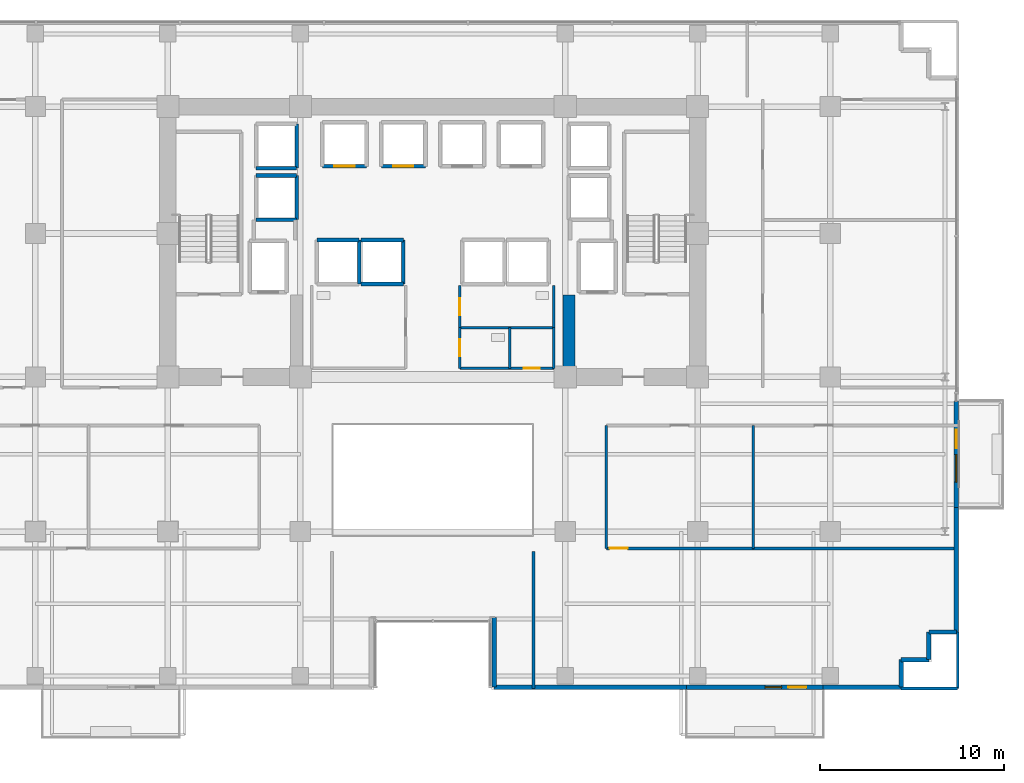
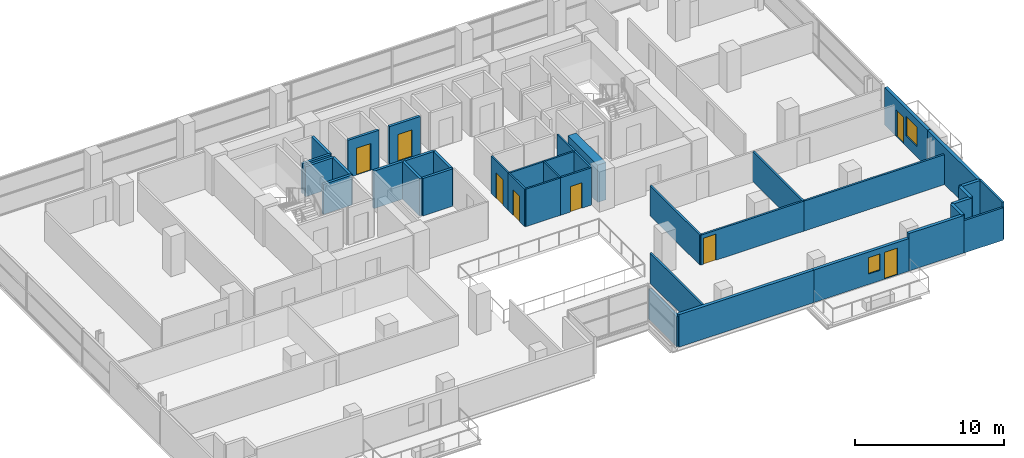
# One storey, part 23 of 29: 38 walls, 8 doors, 2 windows, 10 openings.
"""IFC4 building model written with IfcOpenShell, lengths in metres."""

import ifcopenshell
import ifcopenshell.guid

model = None  # the IFC model being written
_history = None  # IfcOwnerHistory: only IFC2X3 demands one
_inside = {}  # id of a spatial element -> (the spatial element, [elements in it])
_under = {}  # id of a project, library or spatial element -> (it, [spatial elements below it])
_declared = {}  # id of a project -> (the project, [libraries it declares])
_typed = {}  # id of a type object -> (the type object, [elements of that type])
_made_of = {}  # id of a material, layer set ... -> (it, [elements and type objects made of it])


def new_model(schema):
    """Start an empty IFC model of exactly this schema.

    Asked for "IFC4X3", IfcOpenShell would pick the latest addendum, in which some entities
    have other attributes; the version numbers below select the first issue.
    IFC2X3 requires an IfcOwnerHistory on every rooted entity: one is made here for all.
    """
    global model, _history
    if schema == "IFC4X3":
        model = ifcopenshell.file(schema_version=(4, 3, 0, 0))
    else:
        model = ifcopenshell.file(schema=schema)
    _inside.clear()
    _under.clear()
    _declared.clear()
    _typed.clear()
    _made_of.clear()
    _history = None
    if model.schema == "IFC2X3":
        org = make("IfcOrganization", Name="unknown")
        user = make(
            "IfcPersonAndOrganization",
            ThePerson=make("IfcPerson", FamilyName="unknown"),
            TheOrganization=org,
        )
        app = make(
            "IfcApplication",
            ApplicationDeveloper=org,
            Version="unknown",
            ApplicationFullName="unknown",
            ApplicationIdentifier="unknown",
        )
        _history = make(
            "IfcOwnerHistory",
            OwningUser=user,
            OwningApplication=app,
            ChangeAction="ADDED",
            CreationDate=0,
        )
    return model


def make(cls, **values):
    """One entity of the class cls with the attributes given. An attribute that is None is left unset."""
    return model.create_entity(
        cls, **{name: value for name, value in values.items() if value is not None}
    )


def rooted(cls, **values):
    """An entity with a GlobalId (a new one), such as an element, a storey or a relation."""
    return make(cls, GlobalId=ifcopenshell.guid.new(), OwnerHistory=_history, **values)


def si_unit(unit_type, name, prefix=None):
    """IfcSIUnit, for example si_unit("LENGTHUNIT", "METRE", prefix="MILLI")."""
    return make("IfcSIUnit", UnitType=unit_type, Prefix=prefix, Name=name)


def assignment(units):
    """IfcUnitAssignment: the units of a project."""
    return None if units is None else make("IfcUnitAssignment", Units=units)


def point(xyz):
    """IfcCartesianPoint."""
    return None if xyz is None else make("IfcCartesianPoint", Coordinates=xyz)


def direction(xyz):
    """IfcDirection."""
    return None if xyz is None else make("IfcDirection", DirectionRatios=xyz)


def frame(location, z_axis=None, x_axis=None):
    """IfcAxis2Placement3D, a coordinate frame: its origin and axes. An axis left out is left unset."""
    return make(
        "IfcAxis2Placement3D",
        Location=point(location),
        Axis=direction(z_axis),
        RefDirection=direction(x_axis),
    )


def frame_2d(location, x_axis=None):
    """IfcAxis2Placement2D, a coordinate frame in the plane: its origin and x axis."""
    return make(
        "IfcAxis2Placement2D", Location=point(location), RefDirection=direction(x_axis)
    )


def origin():
    """The frame at (0, 0, 0) with its axes left unset."""
    return frame((0.0, 0.0, 0.0))


def place(relative_to, where):
    """IfcLocalPlacement: puts the frame where relative to a parent placement (None: the world)."""
    return make(
        "IfcLocalPlacement", PlacementRelTo=relative_to, RelativePlacement=where
    )


def context(
    kind, dimensions, precision=None, world=None, true_north=None, identifier=None
):
    """IfcGeometricRepresentationContext, for example the 3D "Model" context."""
    return make(
        "IfcGeometricRepresentationContext",
        ContextIdentifier=identifier,
        ContextType=kind,
        CoordinateSpaceDimension=dimensions,
        Precision=precision,
        WorldCoordinateSystem=world,
        TrueNorth=true_north,
    )


def subcontext(parent, identifier, kind, view, scale=None):
    """IfcGeometricRepresentationSubContext, for example "Body" below "Model"."""
    return make(
        "IfcGeometricRepresentationSubContext",
        ContextIdentifier=identifier,
        ContextType=kind,
        ParentContext=parent,
        TargetScale=scale,
        TargetView=view,
    )


def project(units=None, contexts=None):
    """IfcProject with its units and contexts."""
    return rooted(
        "IfcProject",
        Name="project",
        RepresentationContexts=contexts,
        UnitsInContext=assignment(units),
    )


def spatial(cls, under=None, at=None, **own):
    """A site, building, storey or space (cls), placed at a placement, below another one or the project."""
    s = rooted(cls, ObjectPlacement=at, **own)
    if under is not None:
        _under.setdefault(under.id(), (under, []))[1].append(s)
    return s


def profile(cls, at=None, kind="AREA", **sizes):
    """A parametric profile (cls). Its sizes go by their IFC names, for example OverallWidth=200.0."""
    return make(cls, ProfileType=kind, Position=at, **sizes)


def rectangle(**sizes):
    """IfcRectangleProfileDef."""
    return profile("IfcRectangleProfileDef", **sizes)


def extrude(swept, where, along, depth):
    """IfcExtrudedAreaSolid: the profile swept, set in the frame where, extruded along a direction by depth."""
    return make(
        "IfcExtrudedAreaSolid",
        SweptArea=swept,
        Position=where,
        ExtrudedDirection=direction(along),
        Depth=depth,
    )


def shape(context_of_items, identifier, shape_type, items):
    """IfcShapeRepresentation: the items that make up one representation, for example the "Body"."""
    return make(
        "IfcShapeRepresentation",
        ContextOfItems=context_of_items,
        RepresentationIdentifier=identifier,
        RepresentationType=shape_type,
        Items=items,
    )


def source(mapping_origin, context_of_items, identifier, shape_type, items):
    """IfcRepresentationMap: a shape defined once, which mapped items show again and again."""
    return make(
        "IfcRepresentationMap",
        MappingOrigin=mapping_origin,
        MappedRepresentation=shape(context_of_items, identifier, shape_type, items),
    )


def transform(
    local_origin,
    x_axis=None,
    y_axis=None,
    z_axis=None,
    scale=None,
    scale2=None,
    scale3=None,
    uniform=True,
):
    """IfcCartesianTransformationOperator3D, or its non-uniform kind. x_axis, y_axis, z_axis: its Axis1, 2, 3."""
    if uniform:
        return make(
            "IfcCartesianTransformationOperator3D",
            Axis1=direction(x_axis),
            Axis2=direction(y_axis),
            LocalOrigin=point(local_origin),
            Scale=scale,
            Axis3=direction(z_axis),
        )
    return make(
        "IfcCartesianTransformationOperator3DnonUniform",
        Axis1=direction(x_axis),
        Axis2=direction(y_axis),
        LocalOrigin=point(local_origin),
        Scale=scale,
        Axis3=direction(z_axis),
        Scale2=scale2,
        Scale3=scale3,
    )


def mapped(mapping_source, mapping_target):
    """IfcMappedItem: shows the shape of a source again, moved by a transform."""
    return make(
        "IfcMappedItem", MappingSource=mapping_source, MappingTarget=mapping_target
    )


def material(Name=None, Category=None):
    """IfcMaterial."""
    return make("IfcMaterial", Name=Name, Category=Category)


def layer(
    of_material, thickness, ventilated=None, Name=None, Category=None, Priority=None
):
    """IfcMaterialLayer: one layer of a wall or slab, of a material (None: an air gap)."""
    return make(
        "IfcMaterialLayer",
        Material=of_material,
        LayerThickness=thickness,
        IsVentilated=ventilated,
        Name=Name,
        Category=Category,
        Priority=Priority,
    )


def layer_set(layers, Name=None):
    """IfcMaterialLayerSet."""
    return make("IfcMaterialLayerSet", MaterialLayers=layers, LayerSetName=Name)


def made_of(thing, what):
    """Note that an element or type object is made of a material, layer set ...; save() writes the relation."""
    if what is not None:
        _made_of.setdefault(what.id(), (what, []))[1].append(thing)
    return thing


def type_object(cls, material=None, **own):
    """A type object (cls), such as IfcWallType, which elements share."""
    return made_of(rooted(cls, **own), material)


def element(
    cls,
    number,
    at=None,
    inside=None,
    cuts=None,
    type_object=None,
    material=None,
    context=None,
    identifier="Body",
    shape_type=None,
    held_by="IfcProductDefinitionShape",
    body=None,
    shapes=None,
    **own,
):
    """One element of the class cls, such as IfcWall. Its Tag is "e" and its number.

    at: its placement. inside: the storey or other place that contains it. cuts: it is an
    opening in that element (IfcRelVoidsElement). A single representation is given by context,
    identifier, shape_type and body (its items); several are given by shapes. held_by: the class
    of the entity that holds the representations. save() writes the other relations.
    """
    e = rooted(cls, Tag="e%d" % number, ObjectPlacement=at, **own)
    if body is not None:
        shapes = [shape(context, identifier, shape_type, body)]
    if shapes is not None:
        e.Representation = make(held_by, Representations=shapes)
    if inside is not None:
        _inside.setdefault(inside.id(), (inside, []))[1].append(e)
    if cuts is not None:
        rooted(
            "IfcRelVoidsElement", RelatingBuildingElement=cuts, RelatedOpeningElement=e
        )
    if type_object is not None:
        _typed.setdefault(type_object.id(), (type_object, []))[1].append(e)
    return made_of(e, material)


def fill(opening, filler):
    """IfcRelFillsElement: the door or window that sits in an opening."""
    return rooted(
        "IfcRelFillsElement",
        RelatingOpeningElement=opening,
        RelatedBuildingElement=filler,
    )


def aggregate(whole, parts):
    """IfcRelAggregates: a whole, such as a stair, and the parts it consists of."""
    return rooted("IfcRelAggregates", RelatingObject=whole, RelatedObjects=parts)


def save(model, path):
    """Write the relations noted so far, then the file.

    IfcRelAggregates (storeys below a building ...), IfcRelContainedInSpatialStructure (elements
    in a storey), IfcRelDefinesByType, IfcRelAssociatesMaterial and IfcRelDeclares: one each for
    every whole, place, type object, material and project.
    """
    for whole, parts in _under.values():
        aggregate(whole, parts)
    for where, things in _inside.values():
        rooted(
            "IfcRelContainedInSpatialStructure",
            RelatedElements=things,
            RelatingStructure=where,
        )
    for kind, things in _typed.values():
        rooted("IfcRelDefinesByType", RelatedObjects=things, RelatingType=kind)
    for what, things in _made_of.values():
        rooted("IfcRelAssociatesMaterial", RelatedObjects=things, RelatingMaterial=what)
    for by, libraries in _declared.values():
        rooted("IfcRelDeclares", RelatingContext=by, RelatedDefinitions=libraries)
    model.write(path)


model = new_model("IFC4")

# Units and contexts
model_context = context("Model", 3, precision=1e-05, world=origin(), true_north=direction((0.0, 1.0)))
body_context = subcontext(model_context, "Body", "Model", "MODEL_VIEW")
ifc_project = project(units=[si_unit("LENGTHUNIT", "METRE"), si_unit("AREAUNIT", "SQUARE_METRE"), si_unit("VOLUMEUNIT", "CUBIC_METRE"), si_unit("PLANEANGLEUNIT", "RADIAN"), si_unit("MASSUNIT", "GRAM", prefix="KILO")], contexts=[model_context])

# Site, building, storey
site_placement = place(None, origin())
site = spatial("IfcSite", under=ifc_project, at=site_placement, CompositionType="ELEMENT")
building_placement = place(site_placement, origin())
building = spatial("IfcBuilding", under=site, at=building_placement, Name="Zarnakvel Exchange Tower", CompositionType="ELEMENT")
storey_placement = place(building_placement, frame((0.0, 0.0, 37.300048828125)))
storey = spatial("IfcBuildingStorey", under=building, at=storey_placement, Name="L09", CompositionType="ELEMENT", Elevation=37.300048828125)

# Wall
ifc_material_1 = material(Name="Concrete C80/95", Category="concrete")
ifc_layer_1 = layer(ifc_material_1, 0.64990234375)
ifc_layer_set_1 = layer_set([ifc_layer_1], Name="Concrete C80/95")
wall_type_1 = type_object("IfcWallType", Name="CW-C2", PredefinedType="SHEAR", material=ifc_layer_set_1)
wall_1_placement = place(storey_placement, frame((7.39990234375, -0.75, 0.0), z_axis=(0.0, 0.0, 1.0), x_axis=(0.0, 1.0, 0.0)))
element("IfcWall", 1, at=wall_1_placement, inside=storey, type_object=wall_type_1, Name="L09 Rear Core Shear Wall IE (CW-C2)", PredefinedType="SHEAR", context=body_context, shape_type="SweptSolid", body=[
    extrude(rectangle(XDim=4.0, YDim=0.64990234375, at=frame_2d((2.0, 0.0))), origin(), (0.0, 0.0, 1.0), 3.074951171875),
])

# Wall, openings, door, window
ifc_material_2 = material(Name="Precast concrete C40/50", Category="concrete")
ifc_layer_2 = layer(ifc_material_2, 0.239990234375)
ifc_layer_set_2 = layer_set([ifc_layer_2], Name="Precast concrete C40/50")
wall_type_2 = type_object("IfcWallType", Name="EW-02", PredefinedType="SOLIDWALL", material=ifc_layer_set_2)
wall_2_placement = place(storey_placement, frame((21.199951171875, -18.06005859375, 0.0), z_axis=(0.0, 0.0, 1.0), x_axis=(-1.0, 0.0, 0.0)))
wall_2 = element("IfcWall", 2, at=wall_2_placement, inside=storey, type_object=wall_type_2, Name="L09 Exterior Precast Spandrel Wall EW-BAL-L09-SE (EW-02)", PredefinedType="SOLIDWALL", context=body_context, shape_type="SweptSolid", body=[
    extrude(rectangle(XDim=7.39990234375, YDim=0.239990234375, at=frame_2d((3.699951171875, 0.0))), origin(), (0.0, 0.0, 1.0), 2.6650390625),
])
opening_1_placement = place(wall_2_placement, frame((0.887939453125, 0.0, 0.0)))
opening_1 = element("IfcOpeningElement", 3, at=opening_1_placement, cuts=wall_2, Name="Opening BD-L09-02", PredefinedType="OPENING", context=body_context, shape_type="SweptSolid", body=[
    extrude(rectangle(XDim=1.0, YDim=2.199951171875, at=frame_2d((0.5, 1.10009765625))), frame((0.0, 0.1298828125, 0.0), z_axis=(0.0, -1.0, 0.0), x_axis=(1.0, 0.0, 0.0)), (0.0, 0.0, 1.0), 0.260009765625),
])
opening_2_placement = place(wall_2_placement, frame((2.238037109375, 0.0, 0.85009765625)))
opening_2 = element("IfcOpeningElement", 4, at=opening_2_placement, cuts=wall_2, Name="Opening WN-06", PredefinedType="OPENING", context=body_context, shape_type="SweptSolid", body=[
    extrude(rectangle(XDim=0.89990234375, YDim=1.35009765625, at=frame_2d((0.449951171875, 0.675048828125))), frame((0.0, 0.1298828125, 0.0), z_axis=(0.0, -1.0, 0.0), x_axis=(1.0, 0.0, 0.0)), (0.0, 0.0, 1.0), 0.260009765625),
])
ifc_material_3 = material(Name="Architectural Bronze Anodised Aluminium", Category="aluminium")
door_type_1 = type_object("IfcDoorType", Name="DT-09", OperationType="NOTDEFINED", PredefinedType="DOOR", material=ifc_material_3)
shared_shape_1 = source(origin(), body_context, "Body", "SweptSolid", [
    extrude(rectangle(XDim=1.0, YDim=2.199951171875, at=frame_2d((0.5, 1.10009765625))), frame((0.0, 0.02490234375, 0.0), z_axis=(0.0, -1.0, 0.0), x_axis=(1.0, 0.0, 0.0)), (0.0, 0.0, 1.0), 0.050048828125),
])
door_1_placement = place(opening_1_placement, origin())
door_1 = element("IfcDoor", 5, at=door_1_placement, inside=storey, type_object=door_type_1, Name="L09 Planted Loggia Balcony Door BD-L09-02", OperationType="SINGLE_SWING_RIGHT", OverallHeight=2.199951171875, OverallWidth=1.0, PredefinedType="DOOR", context=body_context, shape_type="MappedRepresentation", body=[
    mapped(shared_shape_1, transform((0.0, 0.0, 0.0), x_axis=(1.0, 0.0, 0.0), y_axis=(0.0, 1.0, 0.0), z_axis=(0.0, 0.0, 1.0), scale=1.0)),
])
fill(opening_1, door_1)
ifc_material_4 = material(Name="Double Low-E Laminated Vision Glass", Category="glass")
window_type_1 = type_object("IfcWindowType", Name="WN-06", PartitioningType="SINGLE_PANEL", PredefinedType="WINDOW", material=ifc_material_4)
shared_shape_2 = source(origin(), body_context, "Body", "SweptSolid", [
    extrude(rectangle(XDim=0.89990234375, YDim=1.35009765625, at=frame_2d((0.449951171875, 0.675048828125))), frame((0.0, 0.030029296875, 0.0), z_axis=(0.0, -1.0, 0.0), x_axis=(1.0, 0.0, 0.0)), (0.0, 0.0, 1.0), 0.06005859375),
])
window_1_placement = place(opening_2_placement, origin())
window_1 = element("IfcWindow", 6, at=window_1_placement, inside=storey, type_object=window_type_1, Name="L09 Loggia Daylight Window (WN-06)", OverallHeight=1.35009765625, OverallWidth=0.89990234375, PartitioningType="SINGLE_PANEL", PredefinedType="WINDOW", context=body_context, shape_type="MappedRepresentation", body=[
    mapped(shared_shape_2, transform((0.0, 0.0, 0.0), x_axis=(1.0, 0.0, 0.0), y_axis=(0.0, 1.0, 0.0), z_axis=(0.0, 0.0, 1.0), scale=1.0)),
])
fill(opening_2, window_1)

wall_3_placement = place(storey_placement, frame((28.4599609375, -2.5, 0.0), z_axis=(0.0, 0.0, 1.0), x_axis=(0.0, -1.0, 0.0)))
wall_3 = element("IfcWall", 7, at=wall_3_placement, inside=storey, type_object=wall_type_2, Name="L09 Exterior Precast Spandrel Wall EW-BAL-L09-E (EW-02)", PredefinedType="SOLIDWALL", context=body_context, shape_type="SweptSolid", body=[
    extrude(rectangle(XDim=5.800048828125, YDim=0.239990234375, at=frame_2d((2.89990234375, 0.0))), origin(), (0.0, 0.0, 1.0), 3.074951171875),
])
opening_3_placement = place(wall_3_placement, frame((1.56591796875, 0.0, 0.0)))
opening_3 = element("IfcOpeningElement", 8, at=opening_3_placement, cuts=wall_3, Name="Opening BD-L09-03", PredefinedType="OPENING", context=body_context, shape_type="SweptSolid", body=[
    extrude(rectangle(XDim=1.0, YDim=2.199951171875, at=frame_2d((0.5, 1.10009765625))), frame((0.0, 0.1298828125, 0.0), z_axis=(0.0, -1.0, 0.0), x_axis=(1.0, 0.0, 0.0)), (0.0, 0.0, 1.0), 0.260009765625),
])
opening_4_placement = place(wall_3_placement, frame((2.916015625, 0.0, 0.85009765625)))
opening_4 = element("IfcOpeningElement", 9, at=opening_4_placement, cuts=wall_3, Name="Opening WN-03", PredefinedType="OPENING", context=body_context, shape_type="SweptSolid", body=[
    extrude(rectangle(XDim=1.5, YDim=1.60009765625, at=frame_2d((0.75, 0.800048828125))), frame((0.0, 0.1298828125, 0.0), z_axis=(0.0, -1.0, 0.0), x_axis=(1.0, 0.0, 0.0)), (0.0, 0.0, 1.0), 0.260009765625),
])
door_2_placement = place(opening_3_placement, origin())
door_2 = element("IfcDoor", 10, at=door_2_placement, inside=storey, type_object=door_type_1, Name="L09 Planted Loggia Balcony Door BD-L09-03", OperationType="SINGLE_SWING_LEFT", OverallHeight=2.199951171875, OverallWidth=1.0, PredefinedType="DOOR", context=body_context, shape_type="MappedRepresentation", body=[
    mapped(shared_shape_1, transform((0.0, 0.0, 0.0), x_axis=(1.0, 0.0, 0.0), y_axis=(0.0, 1.0, 0.0), z_axis=(0.0, 0.0, 1.0), scale=1.0)),
])
fill(opening_3, door_2)
window_type_2 = type_object("IfcWindowType", Name="WN-03", PartitioningType="SINGLE_PANEL", PredefinedType="WINDOW", material=ifc_material_4)
shared_shape_3 = source(origin(), body_context, "Body", "SweptSolid", [
    extrude(rectangle(XDim=1.5, YDim=1.60009765625, at=frame_2d((0.75, 0.800048828125))), frame((0.0, 0.030029296875, 0.0), z_axis=(0.0, -1.0, 0.0), x_axis=(1.0, 0.0, 0.0)), (0.0, 0.0, 1.0), 0.06005859375),
])
window_2_placement = place(opening_4_placement, origin())
window_2 = element("IfcWindow", 11, at=window_2_placement, inside=storey, type_object=window_type_2, Name="L09 Loggia Daylight Window (WN-03)", OverallHeight=1.60009765625, OverallWidth=1.5, PartitioningType="SINGLE_PANEL", PredefinedType="WINDOW", context=body_context, shape_type="MappedRepresentation", body=[
    mapped(shared_shape_3, transform((0.0, 0.0, 0.0), x_axis=(1.0, 0.0, 0.0), y_axis=(0.0, 1.0, 0.0), z_axis=(0.0, 0.0, 1.0), scale=1.0)),
])
fill(opening_4, window_2)

# Walls
wall_4_placement = place(storey_placement, frame((28.4599609375, -15.06005859375, 0.0), z_axis=(0.0, 0.0, 1.0), x_axis=(0.0, 1.0, 0.0)))
element("IfcWall", 12, at=wall_4_placement, inside=storey, type_object=wall_type_2, Name="L09 Exterior Precast Spandrel Wall EWC-L09-10 (EW-02)", PredefinedType="SOLIDWALL", context=body_context, shape_type="SweptSolid", body=[
    extrude(rectangle(XDim=6.760009765625, YDim=0.239990234375, at=frame_2d((3.3798828125, 0.0))), origin(), (0.0, 0.0, 1.0), 3.074951171875),
])
for number, where, z_axis, x_axis, name in (
    (13, (26.9599609375, -15.06005859375, 0.0), (0.0, 0.0, 1.0), (1.0, 0.0, 0.0), "L09 Exterior Precast Spandrel Wall EWC-L09-11 (EW-02)"),
    (14, (26.9599609375, -16.56005859375, 0.0), (0.0, 0.0, 1.0), (0.0, 1.0, 0.0), "L09 Exterior Precast Spandrel Wall EWC-L09-12 (EW-02)"),
    (15, (25.4599609375, -16.56005859375, 0.0), (0.0, 0.0, 1.0), (1.0, 0.0, 0.0), "L09 Exterior Precast Spandrel Wall EWC-L09-13 (EW-02)"),
    (16, (25.4599609375, -18.06005859375, 0.0), (0.0, 0.0, 1.0), (0.0, 1.0, 0.0), "L09 Exterior Precast Spandrel Wall EWC-L09-14 (EW-02)"),
):
    element("IfcWall", number, at=place(storey_placement, frame(where, z_axis=z_axis, x_axis=x_axis)), inside=storey, type_object=wall_type_2, Name=name, PredefinedType="SOLIDWALL", context=body_context, shape_type="SweptSolid", body=[
        extrude(rectangle(XDim=1.5, YDim=0.239990234375, at=frame_2d((0.75, 0.0))), origin(), (0.0, 0.0, 1.0), 3.074951171875),
    ])
wall_5_placement = place(storey_placement, frame((21.199951171875, -18.06005859375, 0.0), z_axis=(0.0, 0.0, 1.0), x_axis=(1.0, 0.0, 0.0)))
element("IfcWall", 17, at=wall_5_placement, inside=storey, type_object=wall_type_2, Name="L09 Exterior Precast Spandrel Wall EWC-L09-15 (EW-02)", PredefinedType="SOLIDWALL", context=body_context, shape_type="SweptSolid", body=[
    extrude(rectangle(XDim=4.260009765625, YDim=0.239990234375, at=frame_2d((2.1298828125, 0.0))), origin(), (0.0, 0.0, 1.0), 3.074951171875),
])
wall_6_placement = place(storey_placement, frame((3.340087890625, -18.06005859375, 0.0), z_axis=(0.0, 0.0, 1.0), x_axis=(1.0, 0.0, 0.0)))
element("IfcWall", 18, at=wall_6_placement, inside=storey, type_object=wall_type_2, Name="L09 Exterior Precast Spandrel Wall EWC-L09-16 (EW-02)", PredefinedType="SOLIDWALL", context=body_context, shape_type="SweptSolid", body=[
    extrude(rectangle(XDim=10.4599609375, YDim=0.239990234375, at=frame_2d((5.22998046875, 0.0))), origin(), (0.0, 0.0, 1.0), 2.6650390625),
])
wall_7_placement = place(storey_placement, frame((3.340087890625, -14.260009765625, 0.0), z_axis=(0.0, 0.0, 1.0), x_axis=(0.0, -1.0, 0.0)))
element("IfcWall", 19, at=wall_7_placement, inside=storey, type_object=wall_type_2, Name="L09 Exterior Precast Spandrel Wall EWC-L09-17 (EW-02)", PredefinedType="SOLIDWALL", context=body_context, shape_type="SweptSolid", body=[
    extrude(rectangle(XDim=3.800048828125, YDim=0.239990234375, at=frame_2d((1.89990234375, 0.0))), origin(), (0.0, 0.0, 1.0), 2.46484375),
])

# Wall, opening, door
ifc_material_5 = material(Name="Fire-Rated Gypsum Stud Partition", Category="gypsum")
ifc_layer_3 = layer(ifc_material_5, 0.14990234375)
ifc_layer_set_3 = layer_set([ifc_layer_3], Name="Fire-Rated Gypsum Stud Partition")
wall_type_3 = type_object("IfcWallType", Name="PT-01", PredefinedType="PARTITIONING", material=ifc_layer_set_3)
wall_8_placement = place(storey_placement, frame((6.580078125, -0.72998046875, 0.0), z_axis=(0.0, 0.0, 1.0), x_axis=(-1.0, 0.0, 0.0)))
wall_8 = element("IfcWall", 20, at=wall_8_placement, inside=storey, type_object=wall_type_3, Name="L09 Partition Wall PWALL-L09-020 (PT-01)", PredefinedType="PARTITIONING", context=body_context, shape_type="SweptSolid", body=[
    extrude(rectangle(XDim=2.400146484375, YDim=0.14990234375, at=frame_2d((1.2001953125, 0.0))), origin(), (0.0, 0.0, 1.0), 3.074951171875),
])
opening_5_placement = place(wall_8_placement, frame((0.760009765625, 0.0, 0.0)))
opening_5 = element("IfcOpeningElement", 21, at=opening_5_placement, cuts=wall_8, Name="Opening D-L09-08", PredefinedType="OPENING", context=body_context, shape_type="SweptSolid", body=[
    extrude(rectangle(XDim=0.8798828125, YDim=2.10009765625, at=frame_2d((0.43994140625, 1.050048828125))), frame((0.0, 0.0849609375, 0.0), z_axis=(0.0, -1.0, 0.0), x_axis=(1.0, 0.0, 0.0)), (0.0, 0.0, 1.0), 0.169921875),
])
ifc_material_6 = material(Name="Painted Galvanised Steel S355", Category="steel")
door_type_2 = type_object("IfcDoorType", Name="DT-08", OperationType="NOTDEFINED", PredefinedType="DOOR", material=ifc_material_6)
shared_shape_4 = source(origin(), body_context, "Body", "SweptSolid", [
    extrude(rectangle(XDim=0.8798828125, YDim=2.10009765625, at=frame_2d((0.43994140625, 1.050048828125))), frame((0.0, 0.02490234375, 0.0), z_axis=(0.0, -1.0, 0.0), x_axis=(1.0, 0.0, 0.0)), (0.0, 0.0, 1.0), 0.050048828125),
])
door_3_placement = place(opening_5_placement, origin())
door_3 = element("IfcDoor", 22, at=door_3_placement, inside=storey, type_object=door_type_2, Name="L09 Cleaners Store Door D-L09-08", OperationType="SINGLE_SWING_RIGHT", OverallHeight=2.10009765625, OverallWidth=0.8798828125, PredefinedType="DOOR", context=body_context, shape_type="MappedRepresentation", body=[
    mapped(shared_shape_4, transform((0.0, 0.0, 0.0), x_axis=(1.0, 0.0, 0.0), y_axis=(0.0, 1.0, 0.0), z_axis=(0.0, 0.0, 1.0), scale=1.0)),
])
fill(opening_5, door_3)

# Wall
wall_9_placement = place(storey_placement, frame((6.580078125, 1.47998046875, 0.0), z_axis=(0.0, 0.0, 1.0), x_axis=(0.0, -1.0, 0.0)))
element("IfcWall", 23, at=wall_9_placement, inside=storey, type_object=wall_type_3, Name="L09 Partition Wall PWALL-L09-021 (PT-01)", PredefinedType="PARTITIONING", context=body_context, shape_type="SweptSolid", body=[
    extrude(rectangle(XDim=2.2099609375, YDim=0.14990234375, at=frame_2d((1.10498046875, 0.0))), origin(), (0.0, 0.0, 1.0), 3.074951171875),
])

# Wall, opening, door
wall_10_placement = place(storey_placement, frame((17.4150390625, -10.52001953125, 0.0), z_axis=(0.0, 0.0, 1.0), x_axis=(-1.0, 0.0, 0.0)))
wall_10 = element("IfcWall", 24, at=wall_10_placement, inside=storey, type_object=wall_type_3, Name="L09 Partition Wall PWALL-L09-032 (PT-01)", PredefinedType="PARTITIONING", context=body_context, shape_type="SweptSolid", body=[
    extrude(rectangle(XDim=7.985107421875, YDim=0.14990234375, at=frame_2d((3.99267578125, 0.0))), origin(), (0.0, 0.0, 1.0), 2.46484375),
])
opening_6_placement = place(wall_10_placement, frame((6.824951171875, 0.0, 0.0)))
opening_6 = element("IfcOpeningElement", 25, at=opening_6_placement, cuts=wall_10, Name="Opening D-L09-14", PredefinedType="OPENING", context=body_context, shape_type="SweptSolid", body=[
    extrude(rectangle(XDim=0.97998046875, YDim=2.14990234375, at=frame_2d((0.489990234375, 1.074951171875))), frame((0.0, 0.0849609375, 0.0), z_axis=(0.0, -1.0, 0.0), x_axis=(1.0, 0.0, 0.0)), (0.0, 0.0, 1.0), 0.169921875),
])
ifc_material_7 = material(Name="Timber Acoustic Veneer", Category="wood")
door_type_3 = type_object("IfcDoorType", Name="DT-05", OperationType="NOTDEFINED", PredefinedType="DOOR", material=ifc_material_7)
shared_shape_5 = source(origin(), body_context, "Body", "SweptSolid", [
    extrude(rectangle(XDim=0.97998046875, YDim=2.14990234375, at=frame_2d((0.489990234375, 1.074951171875))), frame((0.0, 0.02490234375, 0.0), z_axis=(0.0, -1.0, 0.0), x_axis=(1.0, 0.0, 0.0)), (0.0, 0.0, 1.0), 0.050048828125),
])
door_4_placement = place(opening_6_placement, origin())
door_4 = element("IfcDoor", 26, at=door_4_placement, inside=storey, type_object=door_type_3, Name="L09 Clearing Office Door D-L09-14", OperationType="SINGLE_SWING_RIGHT", OverallHeight=2.14990234375, OverallWidth=0.97998046875, PredefinedType="DOOR", context=body_context, shape_type="MappedRepresentation", body=[
    mapped(shared_shape_5, transform((0.0, 0.0, 0.0), x_axis=(1.0, 0.0, 0.0), y_axis=(0.0, 1.0, 0.0), z_axis=(0.0, 0.0, 1.0), scale=1.0)),
])
fill(opening_6, door_4)

# Walls
for number, where, z_axis, x_axis, name in (
    (27, (9.429931640625, -10.52001953125, 0.0), (0.0, 0.0, 1.0), (0.0, 1.0, 0.0), "L09 Partition Wall PWALL-L09-034 (PT-01)"),
    (28, (17.4150390625, -3.830078125, 0.0), (0.0, 0.0, 1.0), (0.0, -1.0, 0.0), "L09 Partition Wall PWALL-L09-035 (PT-01)"),
):
    element("IfcWall", number, at=place(storey_placement, frame(where, z_axis=z_axis, x_axis=x_axis)), inside=storey, type_object=wall_type_3, Name=name, PredefinedType="PARTITIONING", context=body_context, shape_type="SweptSolid", body=[
        extrude(rectangle(XDim=6.68994140625, YDim=0.14990234375, at=frame_2d((3.344970703125, 0.0))), origin(), (0.0, 0.0, 1.0), 2.46484375),
    ])
wall_11_placement = place(storey_placement, frame((28.530029296875, -10.52001953125, 0.0), z_axis=(0.0, 0.0, 1.0), x_axis=(-1.0, 0.0, 0.0)))
element("IfcWall", 29, at=wall_11_placement, inside=storey, type_object=wall_type_3, Name="L09 Partition Wall PWALL-L09-036 (PT-01)", PredefinedType="PARTITIONING", context=body_context, shape_type="SweptSolid", body=[
    extrude(rectangle(XDim=11.114990234375, YDim=0.14990234375, at=frame_2d((5.5576171875, 0.0))), origin(), (0.0, 0.0, 1.0), 2.46484375),
])
wall_12_placement = place(storey_placement, frame((28.530029296875, -18.1298828125, 0.0), z_axis=(0.0, 0.0, 1.0), x_axis=(-1.0, 0.0, 0.0)))
element("IfcWall", 30, at=wall_12_placement, inside=storey, type_object=wall_type_3, Name="L09 Partition Wall PWALL-L09-039 (PT-01)", PredefinedType="PARTITIONING", context=body_context, shape_type="SweptSolid", body=[
    extrude(rectangle(XDim=3.070068359375, YDim=0.14990234375, at=frame_2d((1.53515625, 0.0))), origin(), (0.0, 0.0, 1.0), 2.6650390625),
])
wall_13_placement = place(storey_placement, frame((5.47998046875, -18.1298828125, 0.0), z_axis=(0.0, 0.0, 1.0), x_axis=(0.0, 1.0, 0.0)))
element("IfcWall", 31, at=wall_13_placement, inside=storey, type_object=wall_type_3, Name="L09 Partition Wall PWALL-L09-040 (PT-01)", PredefinedType="PARTITIONING", context=body_context, shape_type="SweptSolid", body=[
    extrude(rectangle(XDim=7.449951171875, YDim=0.14990234375, at=frame_2d((3.72509765625, 0.0))), origin(), (0.0, 0.0, 1.0), 2.46484375),
])
wall_14_placement = place(storey_placement, frame((28.530029296875, -15.06005859375, 0.0), z_axis=(0.0, 0.0, 1.0), x_axis=(0.0, -1.0, 0.0)))
element("IfcWall", 32, at=wall_14_placement, inside=storey, type_object=wall_type_3, Name="L09 Partition Wall PWALL-L09-041 (PT-01)", PredefinedType="PARTITIONING", context=body_context, shape_type="SweptSolid", body=[
    extrude(rectangle(XDim=3.06982421875, YDim=0.14990234375, at=frame_2d((1.534912109375, 0.0))), origin(), (0.0, 0.0, 1.0), 3.074951171875),
])
ifc_material_8 = material(Name="Moisture-Resistant Tile-Faced Partition", Category="gypsum")
ifc_layer_4 = layer(ifc_material_8, 0.135009765625)
ifc_layer_set_4 = layer_set([ifc_layer_4], Name="Moisture-Resistant Tile-Faced Partition")
wall_type_4 = type_object("IfcWallType", Name="PT-03", PredefinedType="PARTITIONING", material=ifc_layer_set_4)
wall_15_placement = place(storey_placement, frame((6.580078125, 1.47998046875, 0.0), z_axis=(0.0, 0.0, 1.0), x_axis=(-1.0, 0.0, 0.0)))
element("IfcWall", 33, at=wall_15_placement, inside=storey, type_object=wall_type_4, Name="L09 Partition Wall PWALL-L09-014 (PT-03)", PredefinedType="PARTITIONING", context=body_context, shape_type="SweptSolid", body=[
    extrude(rectangle(XDim=5.110107421875, YDim=0.135009765625, at=frame_2d((2.55517578125, 0.0))), origin(), (0.0, 0.0, 1.0), 3.074951171875),
])

# Wall, opening, door
wall_16_placement = place(storey_placement, frame((1.469970703125, 1.47998046875, 0.0), z_axis=(0.0, 0.0, 1.0), x_axis=(0.0, 1.0, 0.0)))
wall_16 = element("IfcWall", 34, at=wall_16_placement, inside=storey, type_object=wall_type_4, Name="L09 Partition Wall PWALL-L09-015 (PT-03)", PredefinedType="PARTITIONING", context=body_context, shape_type="SweptSolid", body=[
    extrude(rectangle(XDim=2.280029296875, YDim=0.135009765625, at=frame_2d((1.14013671875, 0.0))), origin(), (0.0, 0.0, 1.0), 3.074951171875),
])
opening_7_placement = place(wall_16_placement, frame((0.679931640625, 0.0, 0.0)))
opening_7 = element("IfcOpeningElement", 35, at=opening_7_placement, cuts=wall_16, Name="Opening D-L09-06", PredefinedType="OPENING", context=body_context, shape_type="SweptSolid", body=[
    extrude(rectangle(XDim=0.919921875, YDim=2.10009765625, at=frame_2d((0.4599609375, 1.050048828125))), frame((0.0, 0.077392578125, 0.0), z_axis=(0.0, -1.0, 0.0), x_axis=(1.0, 0.0, 0.0)), (0.0, 0.0, 1.0), 0.155029296875),
])
ifc_material_9 = material(Name="Moisture-Resistant Laminate Timber", Category="wood")
door_type_4 = type_object("IfcDoorType", Name="DT-07", OperationType="NOTDEFINED", PredefinedType="DOOR", material=ifc_material_9)
shared_shape_6 = source(origin(), body_context, "Body", "SweptSolid", [
    extrude(rectangle(XDim=0.919921875, YDim=2.10009765625, at=frame_2d((0.4599609375, 1.050048828125))), frame((0.0, 0.02490234375, 0.0), z_axis=(0.0, -1.0, 0.0), x_axis=(1.0, 0.0, 0.0)), (0.0, 0.0, 1.0), 0.050048828125),
])
door_5_placement = place(opening_7_placement, origin())
door_5 = element("IfcDoor", 36, at=door_5_placement, inside=storey, type_object=door_type_4, Name="L09 Female Toilet Door D-L09-06", OperationType="SINGLE_SWING_RIGHT", OverallHeight=2.10009765625, OverallWidth=0.919921875, PredefinedType="DOOR", context=body_context, shape_type="MappedRepresentation", body=[
    mapped(shared_shape_6, transform((0.0, 0.0, 0.0), x_axis=(1.0, 0.0, 0.0), y_axis=(0.0, 1.0, 0.0), z_axis=(0.0, 0.0, 1.0), scale=1.0)),
])
fill(opening_7, door_5)

# Walls
wall_17_placement = place(storey_placement, frame((6.580078125, 3.760009765625, 0.0), z_axis=(0.0, 0.0, 1.0), x_axis=(0.0, -1.0, 0.0)))
element("IfcWall", 37, at=wall_17_placement, inside=storey, type_object=wall_type_4, Name="L09 Partition Wall PWALL-L09-016 (PT-03)", PredefinedType="PARTITIONING", context=body_context, shape_type="SweptSolid", body=[
    extrude(rectangle(XDim=2.280029296875, YDim=0.135009765625, at=frame_2d((1.14013671875, 0.0))), origin(), (0.0, 0.0, 1.0), 3.074951171875),
])
wall_18_placement = place(storey_placement, frame((4.179931640625, -0.72998046875, 0.0), z_axis=(0.0, 0.0, 1.0), x_axis=(-1.0, 0.0, 0.0)))
element("IfcWall", 38, at=wall_18_placement, inside=storey, type_object=wall_type_4, Name="L09 Partition Wall PWALL-L09-017 (PT-03)", PredefinedType="PARTITIONING", context=body_context, shape_type="SweptSolid", body=[
    extrude(rectangle(XDim=2.7099609375, YDim=0.135009765625, at=frame_2d((1.35498046875, 0.0))), origin(), (0.0, 0.0, 1.0), 3.074951171875),
])

# Wall, opening, door
wall_19_placement = place(storey_placement, frame((1.469970703125, -0.72998046875, 0.0), z_axis=(0.0, 0.0, 1.0), x_axis=(0.0, 1.0, 0.0)))
wall_19 = element("IfcWall", 39, at=wall_19_placement, inside=storey, type_object=wall_type_4, Name="L09 Partition Wall PWALL-L09-018 (PT-03)", PredefinedType="PARTITIONING", context=body_context, shape_type="SweptSolid", body=[
    extrude(rectangle(XDim=2.2099609375, YDim=0.135009765625, at=frame_2d((1.10498046875, 0.0))), origin(), (0.0, 0.0, 1.0), 3.074951171875),
])
opening_8_placement = place(wall_19_placement, frame((0.64990234375, 0.0, 0.0)))
opening_8 = element("IfcOpeningElement", 40, at=opening_8_placement, cuts=wall_19, Name="Opening D-L09-07", PredefinedType="OPENING", context=body_context, shape_type="SweptSolid", body=[
    extrude(rectangle(XDim=0.919921875, YDim=2.10009765625, at=frame_2d((0.4599609375, 1.050048828125))), frame((0.0, 0.077392578125, 0.0), z_axis=(0.0, -1.0, 0.0), x_axis=(1.0, 0.0, 0.0)), (0.0, 0.0, 1.0), 0.155029296875),
])
door_6_placement = place(opening_8_placement, origin())
door_6 = element("IfcDoor", 41, at=door_6_placement, inside=storey, type_object=door_type_4, Name="L09 Accessible Toilet Door D-L09-07", OperationType="SINGLE_SWING_LEFT", OverallHeight=2.10009765625, OverallWidth=0.919921875, PredefinedType="DOOR", context=body_context, shape_type="MappedRepresentation", body=[
    mapped(shared_shape_6, transform((0.0, 0.0, 0.0), x_axis=(1.0, 0.0, 0.0), y_axis=(0.0, 1.0, 0.0), z_axis=(0.0, 0.0, 1.0), scale=1.0)),
])
fill(opening_8, door_6)

# Wall
wall_20_placement = place(storey_placement, frame((4.179931640625, 1.47998046875, 0.0), z_axis=(0.0, 0.0, 1.0), x_axis=(0.0, -1.0, 0.0)))
element("IfcWall", 42, at=wall_20_placement, inside=storey, type_object=wall_type_4, Name="L09 Partition Wall PWALL-L09-019 (PT-03)", PredefinedType="PARTITIONING", context=body_context, shape_type="SweptSolid", body=[
    extrude(rectangle(XDim=2.2099609375, YDim=0.135009765625, at=frame_2d((1.10498046875, 0.0))), origin(), (0.0, 0.0, 1.0), 3.074951171875),
])

# Wall, opening, door
ifc_material_10 = material(Name="Concrete C40/50", Category="concrete")
ifc_layer_5 = layer(ifc_material_10, 0.199951171875)
ifc_layer_set_5 = layer_set([ifc_layer_5], Name="Concrete C40/50")
wall_type_5 = type_object("IfcWallType", Name="SW-01", PredefinedType="SOLIDWALL", material=ifc_layer_set_5)
wall_21_placement = place(storey_placement, frame((-3.60009765625, 10.25, 0.0), z_axis=(0.0, 0.0, 1.0), x_axis=(-1.0, 0.0, 0.0)))
wall_21 = element("IfcWall", 43, at=wall_21_placement, inside=storey, type_object=wall_type_5, Name="L09 PL-01 Hoistway Wall South", PredefinedType="SOLIDWALL", context=body_context, shape_type="SweptSolid", body=[
    extrude(rectangle(XDim=2.39990234375, YDim=0.199951171875, at=frame_2d((1.199951171875, 0.0))), origin(), (0.0, 0.0, 1.0), 3.074951171875),
])
opening_9_placement = place(wall_21_placement, frame((0.64990234375, 0.0, 0.0)))
opening_9 = element("IfcOpeningElement", 44, at=opening_9_placement, cuts=wall_21, Name="Opening LD-PL-01-L09", PredefinedType="OPENING", context=body_context, shape_type="SweptSolid", body=[
    extrude(rectangle(XDim=1.10009765625, YDim=2.199951171875, at=frame_2d((0.550048828125, 1.10009765625))), frame((0.0, 0.10986328125, 0.0), z_axis=(0.0, -1.0, 0.0), x_axis=(1.0, 0.0, 0.0)), (0.0, 0.0, 1.0), 0.219970703125),
])
door_type_5 = type_object("IfcDoorType", Name="LDT-02", OperationType="NOTDEFINED", PredefinedType="DOOR", material=ifc_material_3)
shared_shape_7 = source(origin(), body_context, "Body", "SweptSolid", [
    extrude(rectangle(XDim=1.10009765625, YDim=2.199951171875, at=frame_2d((0.550048828125, 1.10009765625))), frame((0.0, 0.02490234375, 0.0), z_axis=(0.0, -1.0, 0.0), x_axis=(1.0, 0.0, 0.0)), (0.0, 0.0, 1.0), 0.050048828125),
])
door_7_placement = place(opening_9_placement, origin())
door_7 = element("IfcDoor", 45, at=door_7_placement, inside=storey, type_object=door_type_5, Name="L09 PL-01 Lift Landing Door LD-PL-01-L09", OperationType="DOUBLE_DOOR_SLIDING", OverallHeight=2.199951171875, OverallWidth=1.10009765625, PredefinedType="DOOR", context=body_context, shape_type="MappedRepresentation", body=[
    mapped(shared_shape_7, transform((0.0, 0.0, 0.0), x_axis=(1.0, 0.0, 0.0), y_axis=(0.0, 1.0, 0.0), z_axis=(0.0, 0.0, 1.0), scale=1.0)),
])
fill(opening_9, door_7)

wall_22_placement = place(storey_placement, frame((-0.39990234375, 10.25, 0.0), z_axis=(0.0, 0.0, 1.0), x_axis=(-1.0, 0.0, 0.0)))
wall_22 = element("IfcWall", 46, at=wall_22_placement, inside=storey, type_object=wall_type_5, Name="L09 PL-02 Hoistway Wall South", PredefinedType="SOLIDWALL", context=body_context, shape_type="SweptSolid", body=[
    extrude(rectangle(XDim=2.400146484375, YDim=0.199951171875, at=frame_2d((1.2001953125, 0.0))), origin(), (0.0, 0.0, 1.0), 3.074951171875),
])
opening_10_placement = place(wall_22_placement, frame((0.64990234375, 0.0, 0.0)))
opening_10 = element("IfcOpeningElement", 47, at=opening_10_placement, cuts=wall_22, Name="Opening LD-PL-02-L09", PredefinedType="OPENING", context=body_context, shape_type="SweptSolid", body=[
    extrude(rectangle(XDim=1.10009765625, YDim=2.199951171875, at=frame_2d((0.550048828125, 1.10009765625))), frame((0.0, 0.10986328125, 0.0), z_axis=(0.0, -1.0, 0.0), x_axis=(1.0, 0.0, 0.0)), (0.0, 0.0, 1.0), 0.219970703125),
])
door_8_placement = place(opening_10_placement, origin())
door_8 = element("IfcDoor", 48, at=door_8_placement, inside=storey, type_object=door_type_5, Name="L09 PL-02 Lift Landing Door LD-PL-02-L09", OperationType="DOUBLE_DOOR_SLIDING", OverallHeight=2.199951171875, OverallWidth=1.10009765625, PredefinedType="DOOR", context=body_context, shape_type="MappedRepresentation", body=[
    mapped(shared_shape_7, transform((0.0, 0.0, 0.0), x_axis=(1.0, 0.0, 0.0), y_axis=(0.0, 1.0, 0.0), z_axis=(0.0, 0.0, 1.0), scale=1.0)),
])
fill(opening_10, door_8)

# Walls
wall_23_placement = place(storey_placement, frame((-6.300048828125, 6.25, 0.0), z_axis=(0.0, 0.0, 1.0), x_axis=(1.0, 0.0, 0.0)))
element("IfcWall", 49, at=wall_23_placement, inside=storey, type_object=wall_type_5, Name="L09 PL-05 Hoistway Wall North", PredefinedType="SOLIDWALL", context=body_context, shape_type="SweptSolid", body=[
    extrude(rectangle(XDim=2.300048828125, YDim=0.199951171875, at=frame_2d((1.14990234375, 0.0))), origin(), (0.0, 0.0, 1.0), 3.074951171875),
])
wall_24_placement = place(storey_placement, frame((-4.0, 6.25, 0.0), z_axis=(0.0, 0.0, 1.0), x_axis=(0.0, -1.0, 0.0)))
element("IfcWall", 50, at=wall_24_placement, inside=storey, type_object=wall_type_5, Name="L09 PL-05 Hoistway Wall East", PredefinedType="SOLIDWALL", context=body_context, shape_type="SweptSolid", body=[
    extrude(rectangle(XDim=2.39990234375, YDim=0.199951171875, at=frame_2d((1.199951171875, 0.0))), origin(), (0.0, 0.0, 1.0), 3.074951171875),
])
for number, where, z_axis, x_axis, name in (
    (51, (-1.60009765625, 3.85009765625, 0.0), (0.0, 0.0, 1.0), (-1.0, 0.0, 0.0), "L09 PL-06 Hoistway Wall South"),
    (52, (-3.89990234375, 6.25, 0.0), (0.0, 0.0, 1.0), (1.0, 0.0, 0.0), "L09 PL-06 Hoistway Wall North"),
):
    element("IfcWall", number, at=place(storey_placement, frame(where, z_axis=z_axis, x_axis=x_axis)), inside=storey, type_object=wall_type_5, Name=name, PredefinedType="SOLIDWALL", context=body_context, shape_type="SweptSolid", body=[
        extrude(rectangle(XDim=2.2998046875, YDim=0.199951171875, at=frame_2d((1.14990234375, 0.0))), origin(), (0.0, 0.0, 1.0), 3.074951171875),
    ])
wall_25_placement = place(storey_placement, frame((-1.60009765625, 6.25, 0.0), z_axis=(0.0, 0.0, 1.0), x_axis=(0.0, -1.0, 0.0)))
element("IfcWall", 53, at=wall_25_placement, inside=storey, type_object=wall_type_5, Name="L09 PL-06 Hoistway Wall East", PredefinedType="SOLIDWALL", context=body_context, shape_type="SweptSolid", body=[
    extrude(rectangle(XDim=2.39990234375, YDim=0.199951171875, at=frame_2d((1.199951171875, 0.0))), origin(), (0.0, 0.0, 1.0), 3.074951171875),
])
for number, where, z_axis, x_axis, name in (
    (54, (-7.39990234375, 7.35009765625, 0.0), (0.0, 0.0, 1.0), (-1.0, 0.0, 0.0), "L09 PL-09 Hoistway Wall South"),
    (55, (-9.60009765625, 9.75, 0.0), (0.0, 0.0, 1.0), (1.0, 0.0, 0.0), "L09 PL-09 Hoistway Wall North"),
):
    element("IfcWall", number, at=place(storey_placement, frame(where, z_axis=z_axis, x_axis=x_axis)), inside=storey, type_object=wall_type_5, Name=name, PredefinedType="SOLIDWALL", context=body_context, shape_type="SweptSolid", body=[
        extrude(rectangle(XDim=2.2001953125, YDim=0.199951171875, at=frame_2d((1.10009765625, 0.0))), origin(), (0.0, 0.0, 1.0), 2.46484375),
    ])
wall_26_placement = place(storey_placement, frame((-7.39990234375, 9.75, 0.0), z_axis=(0.0, 0.0, 1.0), x_axis=(0.0, -1.0, 0.0)))
element("IfcWall", 56, at=wall_26_placement, inside=storey, type_object=wall_type_5, Name="L09 PL-09 Hoistway Wall East", PredefinedType="SOLIDWALL", context=body_context, shape_type="SweptSolid", body=[
    extrude(rectangle(XDim=2.39990234375, YDim=0.199951171875, at=frame_2d((1.199951171875, 0.0))), origin(), (0.0, 0.0, 1.0), 2.46484375),
])
wall_27_placement = place(storey_placement, frame((-7.39990234375, 10.14990234375, 0.0), z_axis=(0.0, 0.0, 1.0), x_axis=(-1.0, 0.0, 0.0)))
element("IfcWall", 57, at=wall_27_placement, inside=storey, type_object=wall_type_5, Name="L09 PL-10 Hoistway Wall South", PredefinedType="SOLIDWALL", context=body_context, shape_type="SweptSolid", body=[
    extrude(rectangle(XDim=2.2001953125, YDim=0.199951171875, at=frame_2d((1.10009765625, 0.0))), origin(), (0.0, 0.0, 1.0), 2.46484375),
])
wall_28_placement = place(storey_placement, frame((-7.39990234375, 12.550048828125, 0.0), z_axis=(0.0, 0.0, 1.0), x_axis=(0.0, -1.0, 0.0)))
element("IfcWall", 58, at=wall_28_placement, inside=storey, type_object=wall_type_5, Name="L09 PL-10 Hoistway Wall East", PredefinedType="SOLIDWALL", context=body_context, shape_type="SweptSolid", body=[
    extrude(rectangle(XDim=2.400146484375, YDim=0.199951171875, at=frame_2d((1.2001953125, 0.0))), origin(), (0.0, 0.0, 1.0), 2.46484375),
])

save(model, "model.ifc")
